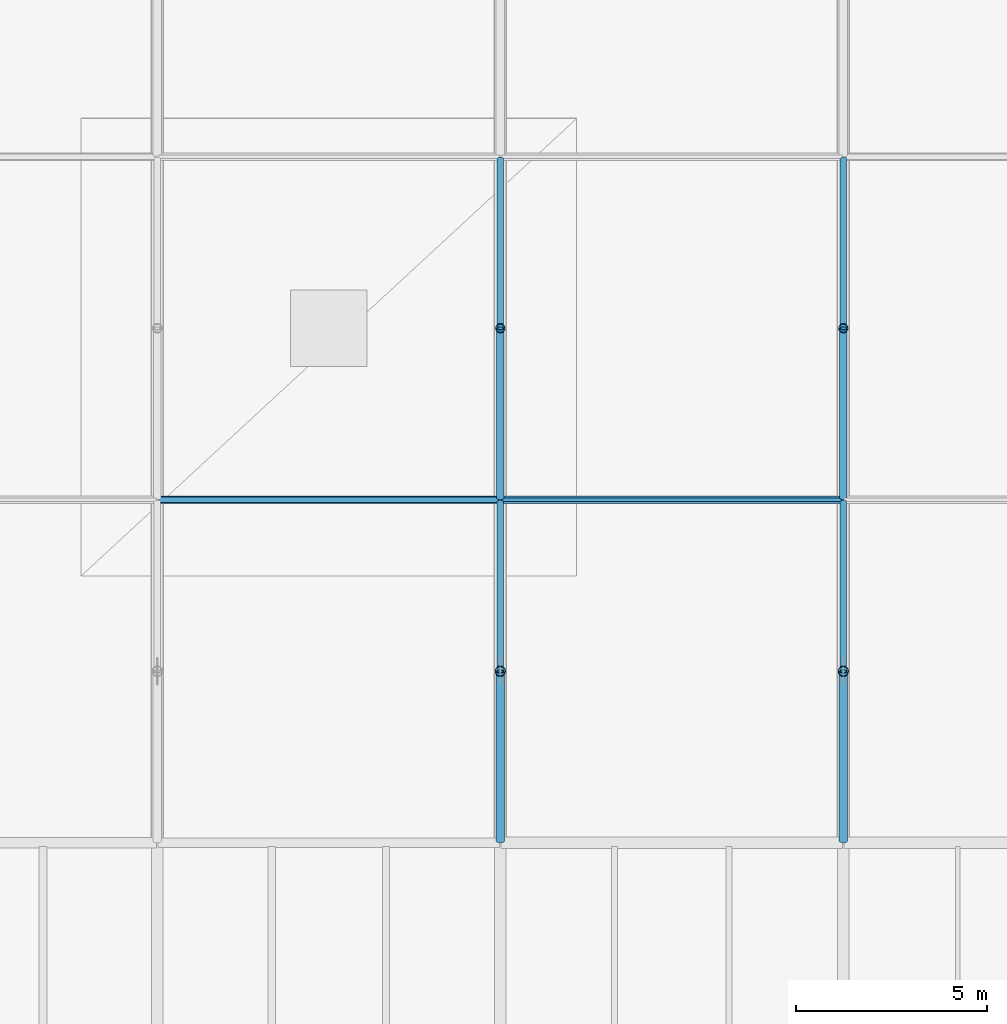
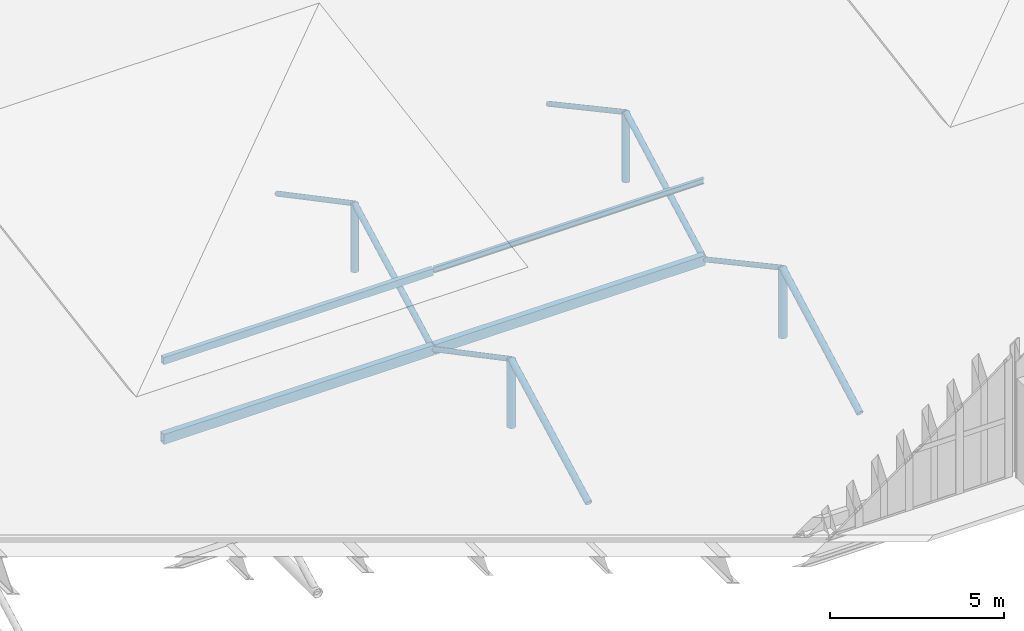
# One storey, part 55 of 196: 16 members.
"""IFC4 building model written with IfcOpenShell, lengths in metres."""

import ifcopenshell
import ifcopenshell.guid

model = None  # the IFC model being written
_history = None  # IfcOwnerHistory: only IFC2X3 demands one
_inside = {}  # id of a spatial element -> (the spatial element, [elements in it])
_under = {}  # id of a project, library or spatial element -> (it, [spatial elements below it])
_declared = {}  # id of a project -> (the project, [libraries it declares])
_typed = {}  # id of a type object -> (the type object, [elements of that type])
_made_of = {}  # id of a material, layer set ... -> (it, [elements and type objects made of it])


def new_model(schema):
    """Start an empty IFC model of exactly this schema.

    Asked for "IFC4X3", IfcOpenShell would pick the latest addendum, in which some entities
    have other attributes; the version numbers below select the first issue.
    IFC2X3 requires an IfcOwnerHistory on every rooted entity: one is made here for all.
    """
    global model, _history
    if schema == "IFC4X3":
        model = ifcopenshell.file(schema_version=(4, 3, 0, 0))
    else:
        model = ifcopenshell.file(schema=schema)
    _inside.clear()
    _under.clear()
    _declared.clear()
    _typed.clear()
    _made_of.clear()
    _history = None
    if model.schema == "IFC2X3":
        org = make("IfcOrganization", Name="unknown")
        user = make(
            "IfcPersonAndOrganization",
            ThePerson=make("IfcPerson", FamilyName="unknown"),
            TheOrganization=org,
        )
        app = make(
            "IfcApplication",
            ApplicationDeveloper=org,
            Version="unknown",
            ApplicationFullName="unknown",
            ApplicationIdentifier="unknown",
        )
        _history = make(
            "IfcOwnerHistory",
            OwningUser=user,
            OwningApplication=app,
            ChangeAction="ADDED",
            CreationDate=0,
        )
    return model


def make(cls, **values):
    """One entity of the class cls with the attributes given. An attribute that is None is left unset."""
    return model.create_entity(
        cls, **{name: value for name, value in values.items() if value is not None}
    )


def rooted(cls, **values):
    """An entity with a GlobalId (a new one), such as an element, a storey or a relation."""
    return make(cls, GlobalId=ifcopenshell.guid.new(), OwnerHistory=_history, **values)


def si_unit(unit_type, name, prefix=None):
    """IfcSIUnit, for example si_unit("LENGTHUNIT", "METRE", prefix="MILLI")."""
    return make("IfcSIUnit", UnitType=unit_type, Prefix=prefix, Name=name)


def assignment(units):
    """IfcUnitAssignment: the units of a project."""
    return None if units is None else make("IfcUnitAssignment", Units=units)


def point(xyz):
    """IfcCartesianPoint."""
    return None if xyz is None else make("IfcCartesianPoint", Coordinates=xyz)


def direction(xyz):
    """IfcDirection."""
    return None if xyz is None else make("IfcDirection", DirectionRatios=xyz)


def frame(location, z_axis=None, x_axis=None):
    """IfcAxis2Placement3D, a coordinate frame: its origin and axes. An axis left out is left unset."""
    return make(
        "IfcAxis2Placement3D",
        Location=point(location),
        Axis=direction(z_axis),
        RefDirection=direction(x_axis),
    )


def frame_2d(location, x_axis=None):
    """IfcAxis2Placement2D, a coordinate frame in the plane: its origin and x axis."""
    return make(
        "IfcAxis2Placement2D", Location=point(location), RefDirection=direction(x_axis)
    )


def origin():
    """The frame at (0, 0, 0) with its axes left unset."""
    return frame((0.0, 0.0, 0.0))


def origin_2d():
    """The frame at (0, 0) in the plane with its x axis left unset."""
    return frame_2d((0.0, 0.0))


def place(relative_to, where):
    """IfcLocalPlacement: puts the frame where relative to a parent placement (None: the world)."""
    return make(
        "IfcLocalPlacement", PlacementRelTo=relative_to, RelativePlacement=where
    )


def context(
    kind, dimensions, precision=None, world=None, true_north=None, identifier=None
):
    """IfcGeometricRepresentationContext, for example the 3D "Model" context."""
    return make(
        "IfcGeometricRepresentationContext",
        ContextIdentifier=identifier,
        ContextType=kind,
        CoordinateSpaceDimension=dimensions,
        Precision=precision,
        WorldCoordinateSystem=world,
        TrueNorth=true_north,
    )


def subcontext(parent, identifier, kind, view, scale=None):
    """IfcGeometricRepresentationSubContext, for example "Body" below "Model"."""
    return make(
        "IfcGeometricRepresentationSubContext",
        ContextIdentifier=identifier,
        ContextType=kind,
        ParentContext=parent,
        TargetScale=scale,
        TargetView=view,
    )


def project(units=None, contexts=None):
    """IfcProject with its units and contexts."""
    return rooted(
        "IfcProject",
        Name="project",
        RepresentationContexts=contexts,
        UnitsInContext=assignment(units),
    )


def spatial(cls, under=None, at=None, **own):
    """A site, building, storey or space (cls), placed at a placement, below another one or the project."""
    s = rooted(cls, ObjectPlacement=at, **own)
    if under is not None:
        _under.setdefault(under.id(), (under, []))[1].append(s)
    return s


def profile(cls, at=None, kind="AREA", **sizes):
    """A parametric profile (cls). Its sizes go by their IFC names, for example OverallWidth=200.0."""
    return make(cls, ProfileType=kind, Position=at, **sizes)


def hollow_rectangle(**sizes):
    """IfcRectangleHollowProfileDef."""
    return profile("IfcRectangleHollowProfileDef", **sizes)


def hollow_circle(**sizes):
    """IfcCircleHollowProfileDef."""
    return profile("IfcCircleHollowProfileDef", **sizes)


def i_section(**sizes):
    """IfcIShapeProfileDef."""
    return profile("IfcIShapeProfileDef", **sizes)


def extrude(swept, where, along, depth):
    """IfcExtrudedAreaSolid: the profile swept, set in the frame where, extruded along a direction by depth."""
    return make(
        "IfcExtrudedAreaSolid",
        SweptArea=swept,
        Position=where,
        ExtrudedDirection=direction(along),
        Depth=depth,
    )


def shape(context_of_items, identifier, shape_type, items):
    """IfcShapeRepresentation: the items that make up one representation, for example the "Body"."""
    return make(
        "IfcShapeRepresentation",
        ContextOfItems=context_of_items,
        RepresentationIdentifier=identifier,
        RepresentationType=shape_type,
        Items=items,
    )


def material(Name=None, Category=None):
    """IfcMaterial."""
    return make("IfcMaterial", Name=Name, Category=Category)


def material_profile(
    of_material, cross_section, Name=None, Category=None, Priority=None
):
    """IfcMaterialProfile: a cross section and its material."""
    return make(
        "IfcMaterialProfile",
        Name=Name,
        Material=of_material,
        Profile=cross_section,
        Priority=Priority,
        Category=Category,
    )


def profile_set(profiles, Name=None, composite=None):
    """IfcMaterialProfileSet."""
    return make(
        "IfcMaterialProfileSet",
        Name=Name,
        MaterialProfiles=profiles,
        CompositeProfile=composite,
    )


def made_of(thing, what):
    """Note that an element or type object is made of a material, layer set ...; save() writes the relation."""
    if what is not None:
        _made_of.setdefault(what.id(), (what, []))[1].append(thing)
    return thing


def type_object(cls, material=None, **own):
    """A type object (cls), such as IfcWallType, which elements share."""
    return made_of(rooted(cls, **own), material)


def element(
    cls,
    number,
    at=None,
    inside=None,
    cuts=None,
    type_object=None,
    material=None,
    context=None,
    identifier="Body",
    shape_type=None,
    held_by="IfcProductDefinitionShape",
    body=None,
    shapes=None,
    **own,
):
    """One element of the class cls, such as IfcWall. Its Tag is "e" and its number.

    at: its placement. inside: the storey or other place that contains it. cuts: it is an
    opening in that element (IfcRelVoidsElement). A single representation is given by context,
    identifier, shape_type and body (its items); several are given by shapes. held_by: the class
    of the entity that holds the representations. save() writes the other relations.
    """
    e = rooted(cls, Tag="e%d" % number, ObjectPlacement=at, **own)
    if body is not None:
        shapes = [shape(context, identifier, shape_type, body)]
    if shapes is not None:
        e.Representation = make(held_by, Representations=shapes)
    if inside is not None:
        _inside.setdefault(inside.id(), (inside, []))[1].append(e)
    if cuts is not None:
        rooted(
            "IfcRelVoidsElement", RelatingBuildingElement=cuts, RelatedOpeningElement=e
        )
    if type_object is not None:
        _typed.setdefault(type_object.id(), (type_object, []))[1].append(e)
    return made_of(e, material)


def aggregate(whole, parts):
    """IfcRelAggregates: a whole, such as a stair, and the parts it consists of."""
    return rooted("IfcRelAggregates", RelatingObject=whole, RelatedObjects=parts)


def save(model, path):
    """Write the relations noted so far, then the file.

    IfcRelAggregates (storeys below a building ...), IfcRelContainedInSpatialStructure (elements
    in a storey), IfcRelDefinesByType, IfcRelAssociatesMaterial and IfcRelDeclares: one each for
    every whole, place, type object, material and project.
    """
    for whole, parts in _under.values():
        aggregate(whole, parts)
    for where, things in _inside.values():
        rooted(
            "IfcRelContainedInSpatialStructure",
            RelatedElements=things,
            RelatingStructure=where,
        )
    for kind, things in _typed.values():
        rooted("IfcRelDefinesByType", RelatedObjects=things, RelatingType=kind)
    for what, things in _made_of.values():
        rooted("IfcRelAssociatesMaterial", RelatedObjects=things, RelatingMaterial=what)
    for by, libraries in _declared.values():
        rooted("IfcRelDeclares", RelatingContext=by, RelatedDefinitions=libraries)
    model.write(path)


model = new_model("IFC4")

# Units and contexts
model_context = context("Model", 3, precision=1e-05, world=origin(), true_north=direction((0.0, 1.0)))
body_context = subcontext(model_context, "Body", "Model", "MODEL_VIEW")
ifc_project = project(units=[si_unit("LENGTHUNIT", "METRE"), si_unit("AREAUNIT", "SQUARE_METRE"), si_unit("VOLUMEUNIT", "CUBIC_METRE"), si_unit("PLANEANGLEUNIT", "RADIAN"), si_unit("MASSUNIT", "GRAM", prefix="KILO")], contexts=[model_context])

# Site, building, storey
site_placement = place(None, origin())
site = spatial("IfcSite", under=ifc_project, at=site_placement, CompositionType="ELEMENT")
building_placement = place(site_placement, origin())
building = spatial("IfcBuilding", under=site, at=building_placement, Name="Barlavento Convention Centre", CompositionType="ELEMENT")
storey_placement = place(building_placement, frame((0.0, 0.0, 18.0)))
storey = spatial("IfcBuildingStorey", under=building, at=storey_placement, Name="L03", CompositionType="ELEMENT", Elevation=18.0)

# Members
ifc_material = material(Name="Steel S355", Category="steel")
ifc_material_profile_1 = material_profile(ifc_material, hollow_rectangle(XDim=0.199951171875, YDim=0.35009765625, WallThickness=0.012451171875, at=origin_2d()), Name="RHS 350x200x12.5")
ifc_profile_set_1 = profile_set([ifc_material_profile_1], Name="Steel S355")
member_type_1 = type_object("IfcMemberType", Name="STR-MEM-COL-RHS350", PredefinedType="COLLAR", material=ifc_profile_set_1)
for number, where, z_axis, x_axis, name in (
    (1, (45.02001953125, 72.0, -3.199951171875), (1.0, 0.0, 0.0), (0.0, 1.0, 0.0), "Exhibition space frame transverse chord"),
    (2, (54.02001953125, 72.0, -3.199951171875), (1.0, 0.0, 0.0), (0.0, 1.0, 0.0), "Exhibition space frame transverse chord"),
):
    element("IfcMember", number, at=place(storey_placement, frame(where, z_axis=z_axis, x_axis=x_axis)), inside=storey, type_object=member_type_1, Name=name, PredefinedType="COLLAR", context=body_context, shape_type="SweptSolid", body=[
        extrude(hollow_rectangle(XDim=0.199951171875, YDim=0.35009765625, WallThickness=0.012451171875, at=origin_2d()), origin(), (0.0, 0.0, 1.0), 8.9599609375),
    ])
ifc_material_profile_2 = material_profile(ifc_material, hollow_circle(Radius=0.084228515625, WallThickness=0.010009765625, at=origin_2d()), Name="CHS 168.3x10.0")
ifc_profile_set_2 = profile_set([ifc_material_profile_2], Name="Steel S355")
member_type_2 = type_object("IfcMemberType", Name="STR-MEM-DIAG-CHS168", PredefinedType="POST", material=ifc_profile_set_2)
for number, where, z_axis, x_axis, name in (
    (3, (54.0, 67.5, -0.844970703125), (0.0, 0.883859857229, -0.467751806816), (-1.0, 0.0, 0.0), "Exhibition space frame web diagonal"),
    (4, (54.0, 76.5, -0.844970703125), (0.0, 0.883859857229, -0.467751806816), (-1.0, 0.0, 0.0), "Exhibition space frame web diagonal"),
):
    element("IfcMember", number, at=place(storey_placement, frame(where, z_axis=z_axis, x_axis=x_axis)), inside=storey, type_object=member_type_2, Name=name, PredefinedType="POST", context=body_context, shape_type="SweptSolid", body=[
        extrude(hollow_circle(Radius=0.084228515625, WallThickness=0.010009765625, at=origin_2d()), origin(), (0.0, 0.0, 1.0), 5.03466796875),
    ])
for number, where, z_axis, x_axis, name in (
    (5, (63.0, 67.5, -0.794921875), (0.0, 0.879735433057, -0.475463529437), (-1.0, 0.0, 0.0), "Exhibition space frame web diagonal"),
    (6, (63.0, 76.5, -0.794921875), (0.0, 0.879735433057, -0.475463529437), (-1.0, 0.0, 0.0), "Exhibition space frame web diagonal"),
):
    element("IfcMember", number, at=place(storey_placement, frame(where, z_axis=z_axis, x_axis=x_axis)), inside=storey, type_object=member_type_2, Name=name, PredefinedType="POST", context=body_context, shape_type="SweptSolid", body=[
        extrude(hollow_circle(Radius=0.084228515625, WallThickness=0.010009765625, at=origin_2d()), origin(), (0.0, 0.0, 1.0), 5.058349609375),
    ])
ifc_material_profile_3 = material_profile(ifc_material, hollow_circle(Radius=0.096923828125, WallThickness=0.010009765625, at=origin_2d()), Name="CHS 193.7x10.0")
ifc_profile_set_3 = profile_set([ifc_material_profile_3], Name="Steel S355")
member_type_3 = type_object("IfcMemberType", Name="STR-MEM-DIAG-CHS193", PredefinedType="RAFTER", material=ifc_profile_set_3)
member_1_placement = place(storey_placement, frame((54.0, 72.050048828125, -3.199951171875), z_axis=(0.0, 0.883859857229, 0.467751806816), x_axis=(-1.0, 0.0, 0.0)))
element("IfcMember", 7, at=member_1_placement, inside=storey, type_object=member_type_3, Name="Exhibition space frame web diagonal", PredefinedType="RAFTER", context=body_context, shape_type="SweptSolid", body=[
    extrude(hollow_circle(Radius=0.096923828125, WallThickness=0.010009765625, at=origin_2d()), origin(), (0.0, 0.0, 1.0), 5.03466796875),
])
member_2_placement = place(storey_placement, frame((63.0, 72.050048828125, -3.199951171875), z_axis=(0.0, 0.879735433057, 0.475463529437), x_axis=(-1.0, 0.0, 0.0)))
element("IfcMember", 8, at=member_2_placement, inside=storey, type_object=member_type_3, Name="Exhibition space frame web diagonal", PredefinedType="RAFTER", context=body_context, shape_type="SweptSolid", body=[
    extrude(hollow_circle(Radius=0.096923828125, WallThickness=0.010009765625, at=origin_2d()), origin(), (0.0, 0.0, 1.0), 5.058349609375),
])
ifc_material_profile_4 = material_profile(ifc_material, hollow_circle(Radius=0.109619140625, WallThickness=0.012451171875, at=origin_2d()), Name="CHS 219.1x12.5")
ifc_profile_set_4 = profile_set([ifc_material_profile_4], Name="Steel S355")
member_type_4 = type_object("IfcMemberType", Name="STR-MEM-DIAG-CHS219", PredefinedType="RAFTER", material=ifc_profile_set_4)
member_3_placement = place(storey_placement, frame((54.0, 63.050048828125, -3.199951171875), z_axis=(0.0, 0.883859857229, 0.467751806816), x_axis=(-1.0, 0.0, 0.0)))
element("IfcMember", 9, at=member_3_placement, inside=storey, type_object=member_type_4, Name="Exhibition space frame web diagonal", PredefinedType="RAFTER", context=body_context, shape_type="SweptSolid", body=[
    extrude(hollow_circle(Radius=0.109619140625, WallThickness=0.012451171875, at=origin_2d()), origin(), (0.0, 0.0, 1.0), 5.03466796875),
])
member_4_placement = place(storey_placement, frame((63.0, 63.050048828125, -3.199951171875), z_axis=(0.0, 0.879735433057, 0.475463529437), x_axis=(-1.0, 0.0, 0.0)))
element("IfcMember", 10, at=member_4_placement, inside=storey, type_object=member_type_4, Name="Exhibition space frame web diagonal", PredefinedType="RAFTER", context=body_context, shape_type="SweptSolid", body=[
    extrude(hollow_circle(Radius=0.109619140625, WallThickness=0.012451171875, at=origin_2d()), origin(), (0.0, 0.0, 1.0), 5.058349609375),
])
ifc_material_profile_5 = material_profile(ifc_material, i_section(OverallWidth=0.10009765625, OverallDepth=0.199951171875, WebThickness=0.005615234375, FlangeThickness=0.008544921875, FilletRadius=0.011962890625, at=origin_2d()), Name="IPE 200")
ifc_profile_set_5 = profile_set([ifc_material_profile_5], Name="Steel S355")
member_type_5 = type_object("IfcMemberType", Name="STR-MEM-PUR-IPE200", PredefinedType="PURLIN", material=ifc_profile_set_5)
member_5_placement = place(storey_placement, frame((54.02001953125, 72.0, -0.445068359375), z_axis=(1.0, 0.0, 0.0), x_axis=(0.0, 1.0, 0.0)))
element("IfcMember", 11, at=member_5_placement, inside=storey, type_object=member_type_5, Name="Exhibition roof purlin", PredefinedType="PURLIN", context=body_context, shape_type="SweptSolid", body=[
    extrude(i_section(OverallWidth=0.10009765625, OverallDepth=0.199951171875, WebThickness=0.005615234375, FlangeThickness=0.008544921875, FilletRadius=0.011962890625, at=origin_2d()), origin(), (0.0, 0.0, 1.0), 8.9599609375),
])
ifc_material_profile_6 = material_profile(ifc_material, hollow_rectangle(XDim=0.14990234375, YDim=0.25, WallThickness=0.010009765625, at=origin_2d()), Name="RHS 250x150x10.0")
ifc_profile_set_6 = profile_set([ifc_material_profile_6], Name="Steel S355")
member_type_6 = type_object("IfcMemberType", Name="STR-MEM-PUR-RHS250", PredefinedType="PURLIN", material=ifc_profile_set_6)
member_6_placement = place(storey_placement, frame((45.02001953125, 72.0, -0.469970703125), z_axis=(1.0, 0.0, 0.0), x_axis=(0.0, 1.0, 0.0)))
element("IfcMember", 12, at=member_6_placement, inside=storey, type_object=member_type_6, Name="Exhibition roof purlin", PredefinedType="PURLIN", context=body_context, shape_type="SweptSolid", body=[
    extrude(hollow_rectangle(XDim=0.14990234375, YDim=0.25, WallThickness=0.010009765625, at=origin_2d()), origin(), (0.0, 0.0, 1.0), 8.9599609375),
])
ifc_material_profile_7 = material_profile(ifc_material, hollow_circle(Radius=0.122314453125, WallThickness=0.012451171875, at=origin_2d()), Name="CHS 244.5x12.5")
ifc_profile_set_7 = profile_set([ifc_material_profile_7], Name="Steel S355")
member_type_7 = type_object("IfcMemberType", Name="STR-MEM-STRUT-CHS244", PredefinedType="STRUT", material=ifc_profile_set_7)
member_7_placement = place(storey_placement, frame((54.0, 76.5, -3.199951171875), z_axis=(0.0, 0.0, 1.0), x_axis=(1.0, 0.0, 0.0)))
element("IfcMember", 13, at=member_7_placement, inside=storey, type_object=member_type_7, Name="Exhibition space frame vertical strut", PredefinedType="STRUT", context=body_context, shape_type="SweptSolid", body=[
    extrude(hollow_circle(Radius=0.122314453125, WallThickness=0.012451171875, at=origin_2d()), origin(), (0.0, 0.0, 1.0), 2.35498046875),
])
member_8_placement = place(storey_placement, frame((63.0, 76.5, -3.199951171875), z_axis=(0.0, 0.0, 1.0), x_axis=(1.0, 0.0, 0.0)))
element("IfcMember", 14, at=member_8_placement, inside=storey, type_object=member_type_7, Name="Exhibition space frame vertical strut", PredefinedType="STRUT", context=body_context, shape_type="SweptSolid", body=[
    extrude(hollow_circle(Radius=0.122314453125, WallThickness=0.012451171875, at=origin_2d()), origin(), (0.0, 0.0, 1.0), 2.405029296875),
])
ifc_material_profile_8 = material_profile(ifc_material, hollow_circle(Radius=0.136474609375, WallThickness=0.012451171875, at=origin_2d()), Name="CHS 273.0x12.5")
ifc_profile_set_8 = profile_set([ifc_material_profile_8], Name="Steel S355")
member_type_8 = type_object("IfcMemberType", Name="STR-MEM-STRUT-CHS273", PredefinedType="STRUT", material=ifc_profile_set_8)
member_9_placement = place(storey_placement, frame((54.0, 67.5, -3.199951171875), z_axis=(0.0, 0.0, 1.0), x_axis=(1.0, 0.0, 0.0)))
element("IfcMember", 15, at=member_9_placement, inside=storey, type_object=member_type_8, Name="Exhibition space frame vertical strut", PredefinedType="STRUT", context=body_context, shape_type="SweptSolid", body=[
    extrude(hollow_circle(Radius=0.136474609375, WallThickness=0.012451171875, at=origin_2d()), origin(), (0.0, 0.0, 1.0), 2.35498046875),
])
member_10_placement = place(storey_placement, frame((63.0, 67.5, -3.199951171875), z_axis=(0.0, 0.0, 1.0), x_axis=(1.0, 0.0, 0.0)))
element("IfcMember", 16, at=member_10_placement, inside=storey, type_object=member_type_8, Name="Exhibition space frame vertical strut", PredefinedType="STRUT", context=body_context, shape_type="SweptSolid", body=[
    extrude(hollow_circle(Radius=0.136474609375, WallThickness=0.012451171875, at=origin_2d()), origin(), (0.0, 0.0, 1.0), 2.405029296875),
])

save(model, "model.ifc")
